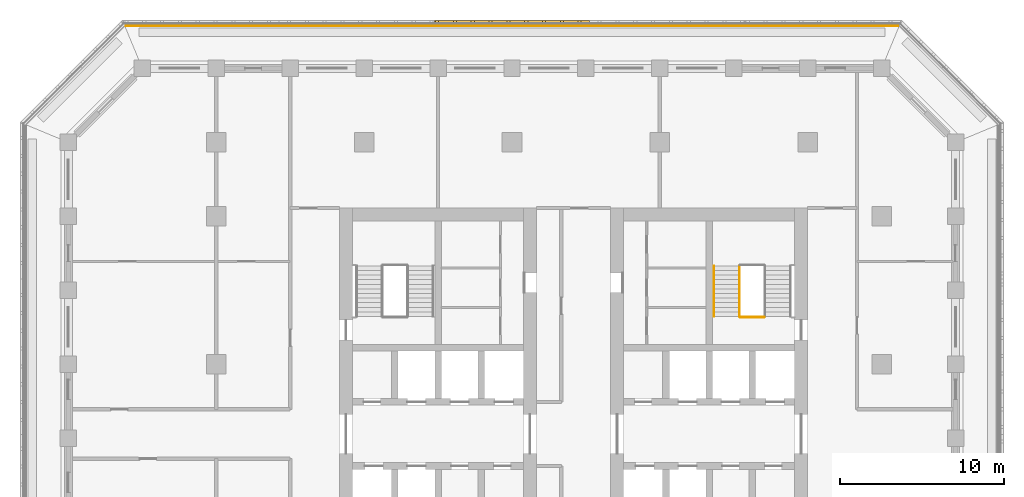
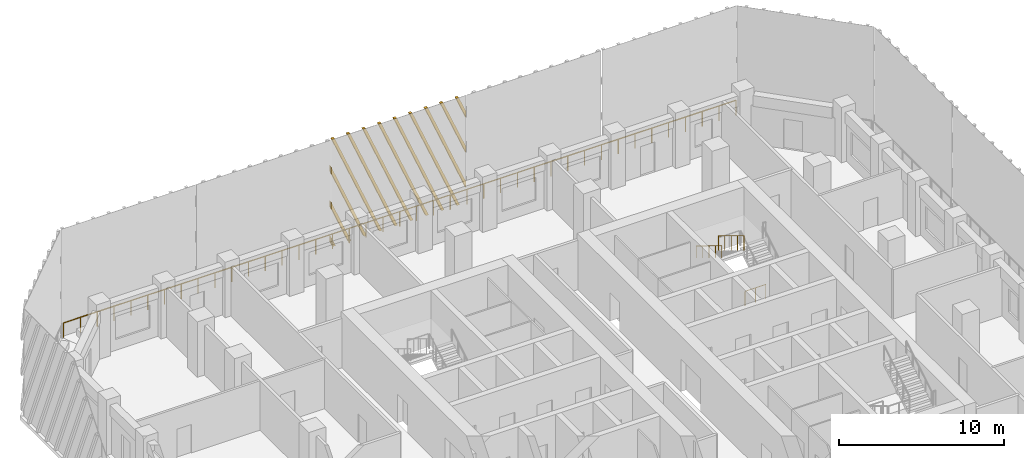
# One storey, part 14 of 16: 4 railings, 1 shading device.
"""IFC4 building model written with IfcOpenShell, lengths in metres."""

from ifc_helpers import new_model, si_unit, direction, frame, origin, origin_2d, place, context, subcontext, project, spatial, polyline, circle, outline, extrude, source, transform, mapped, material, type_object, element, save


model = new_model("IFC4")

# Units and contexts
model_context = context("Model", 3, precision=1e-05, world=origin(), true_north=direction((0.0, 1.0)))
body_context = subcontext(model_context, "Body", "Model", "MODEL_VIEW")
ifc_project = project(units=[si_unit("LENGTHUNIT", "METRE"), si_unit("AREAUNIT", "SQUARE_METRE"), si_unit("VOLUMEUNIT", "CUBIC_METRE"), si_unit("PLANEANGLEUNIT", "RADIAN"), si_unit("MASSUNIT", "GRAM", prefix="KILO")], contexts=[model_context])

# Site, building, storey
site_placement = place(None, origin())
site = spatial("IfcSite", under=ifc_project, at=site_placement, CompositionType="ELEMENT")
building_placement = place(site_placement, origin())
building = spatial("IfcBuilding", under=site, at=building_placement, Name="Corbel Stack Research Tower", CompositionType="ELEMENT")
storey_placement = place(building_placement, frame((0.0, 0.0, 165.0)))
storey = spatial("IfcBuildingStorey", under=building, at=storey_placement, Name="L37", CompositionType="ELEMENT", Elevation=165.0)

# Railings
ifc_material_1 = material(Name="Steel S355", Category="steel")
railing_type_1 = type_object("IfcRailingType", Name="Stair guard 1100", PredefinedType="GUARDRAIL", material=ifc_material_1)
railing_1_placement = place(storey_placement, frame((13.85009765625, 14.97998046875, 2.220947265625)))
element("IfcRailing", 1, at=railing_1_placement, inside=storey, type_object=railing_type_1, Name="L37 ST-E2 stair guard 4", PredefinedType="GUARDRAIL", context=body_context, shape_type="SweptSolid", body=[
    extrude(circle(Radius=0.02392578125, at=origin_2d()), frame((0.0, 0.0, 1.076171875), z_axis=(0.0, -0.853666305674, 0.52082035152), x_axis=(1.0, 0.0, 0.0)), (0.0, 0.0, 1.0), 3.608154296875),
    extrude(circle(Radius=0.02099609375, at=origin_2d()), origin(), (0.0, 0.0, 1.0), 1.052001953125),
    extrude(circle(Radius=0.02099609375, at=origin_2d()), frame((0.0, -0.77001953125, 0.4697265625)), (0.0, 0.0, 1.0), 1.052001953125),
    extrude(circle(Radius=0.02099609375, at=origin_2d()), frame((0.0, -1.5400390625, 0.939453125)), (0.0, 0.0, 1.0), 1.052001953125),
    extrude(circle(Radius=0.02099609375, at=origin_2d()), frame((0.0, -2.31005859375, 1.409423828125)), (0.0, 0.0, 1.0), 1.052001953125),
    extrude(circle(Radius=0.02099609375, at=origin_2d()), frame((0.0, -3.080078125, 1.879150390625)), (0.0, 0.0, 1.0), 1.052001953125),
])
railing_2_placement = place(storey_placement, frame((15.35009765625, 11.85009765625, 0.0)))
element("IfcRailing", 2, at=railing_2_placement, inside=storey, type_object=railing_type_1, Name="L37 ST-E2 stair guard 5", PredefinedType="GUARDRAIL", context=body_context, shape_type="SweptSolid", body=[
    extrude(circle(Radius=0.02392578125, at=origin_2d()), frame((0.0, 0.0, 1.076171875), z_axis=(-1.0, 0.0, 0.0), x_axis=(0.0, -1.0, 0.0)), (0.0, 0.0, 1.0), 1.4501953125),
    extrude(circle(Radius=0.02099609375, at=origin_2d()), origin(), (0.0, 0.0, 1.0), 1.052001953125),
    extrude(circle(Radius=0.02099609375, at=origin_2d()), frame((-0.72509765625, 0.0, 0.0)), (0.0, 0.0, 1.0), 1.052001953125),
    extrude(circle(Radius=0.02099609375, at=origin_2d()), frame((-1.4501953125, 0.0, 0.0)), (0.0, 0.0, 1.0), 1.052001953125),
])
ifc_material_2 = material(Name="Steel S355", Category="steel")
railing_type_2 = type_object("IfcRailingType", Name="Stair handrail 900", PredefinedType="HANDRAIL", material=ifc_material_2)
railing_3_placement = place(storey_placement, frame((12.300048828125, 14.97998046875, 2.220947265625)))
element("IfcRailing", 3, at=railing_3_placement, inside=storey, type_object=railing_type_2, Name="L37 ST-E2 stair handrail 2", PredefinedType="HANDRAIL", context=body_context, shape_type="SweptSolid", body=[
    extrude(circle(Radius=0.02392578125, at=origin_2d()), frame((0.0, 0.0, 0.8759765625), z_axis=(0.0, -0.853666305674, 0.52082035152), x_axis=(1.0, 0.0, 0.0)), (0.0, 0.0, 1.0), 3.608154296875),
    extrude(circle(Radius=0.02099609375, at=origin_2d()), origin(), (0.0, 0.0, 1.0), 0.851806640625),
    extrude(circle(Radius=0.02099609375, at=origin_2d()), frame((0.0, -0.77001953125, 0.4697265625)), (0.0, 0.0, 1.0), 0.851806640625),
    extrude(circle(Radius=0.02099609375, at=origin_2d()), frame((0.0, -1.5400390625, 0.939453125)), (0.0, 0.0, 1.0), 0.851806640625),
    extrude(circle(Radius=0.02099609375, at=origin_2d()), frame((0.0, -2.31005859375, 1.409423828125)), (0.0, 0.0, 1.0), 0.851806640625),
    extrude(circle(Radius=0.02099609375, at=origin_2d()), frame((0.0, -3.080078125, 1.879150390625)), (0.0, 0.0, 1.0), 0.851806640625),
])
ifc_material_3 = material(Name="Powder-coated steel guard", Category="steel")
railing_type_3 = type_object("IfcRailingType", Name="Steel and glass guard 1100", PredefinedType="GUARDRAIL", material=ifc_material_3)
railing_4_placement = place(storey_placement, frame((23.50537109375, 29.60009765625, 0.0)))
element("IfcRailing", 4, at=railing_4_placement, inside=storey, type_object=railing_type_3, Name="Loggia guard L37 N", PredefinedType="GUARDRAIL", context=body_context, shape_type="SweptSolid", body=[
    extrude(circle(Radius=0.02392578125, at=origin_2d()), frame((0.0, 0.0, 1.076171875), z_axis=(-1.0, 0.0, 0.0), x_axis=(0.0, -1.0, 0.0)), (0.0, 0.0, 1.0), 47.0107421875),
    extrude(circle(Radius=0.02099609375, at=origin_2d()), origin(), (0.0, 0.0, 1.0), 1.052001953125),
    extrude(circle(Radius=0.02099609375, at=origin_2d()), frame((-1.17529296875, 0.0, 0.0)), (0.0, 0.0, 1.0), 1.052001953125),
    extrude(circle(Radius=0.02099609375, at=origin_2d()), frame((-2.3505859375, 0.0, 0.0)), (0.0, 0.0, 1.0), 1.052001953125),
    extrude(circle(Radius=0.02099609375, at=origin_2d()), frame((-3.52587890625, 0.0, 0.0)), (0.0, 0.0, 1.0), 1.052001953125),
    extrude(circle(Radius=0.02099609375, at=origin_2d()), frame((-4.701171875, 0.0, 0.0)), (0.0, 0.0, 1.0), 1.052001953125),
    extrude(circle(Radius=0.02099609375, at=origin_2d()), frame((-5.87646484375, 0.0, 0.0)), (0.0, 0.0, 1.0), 1.052001953125),
    extrude(circle(Radius=0.02099609375, at=origin_2d()), frame((-7.051513671875, 0.0, 0.0)), (0.0, 0.0, 1.0), 1.052001953125),
    extrude(circle(Radius=0.02099609375, at=origin_2d()), frame((-8.226806640625, 0.0, 0.0)), (0.0, 0.0, 1.0), 1.052001953125),
    extrude(circle(Radius=0.02099609375, at=origin_2d()), frame((-9.402099609375, 0.0, 0.0)), (0.0, 0.0, 1.0), 1.052001953125),
    extrude(circle(Radius=0.02099609375, at=origin_2d()), frame((-10.577392578125, 0.0, 0.0)), (0.0, 0.0, 1.0), 1.052001953125),
    extrude(circle(Radius=0.02099609375, at=origin_2d()), frame((-11.752685546875, 0.0, 0.0)), (0.0, 0.0, 1.0), 1.052001953125),
    extrude(circle(Radius=0.02099609375, at=origin_2d()), frame((-12.927978515625, 0.0, 0.0)), (0.0, 0.0, 1.0), 1.052001953125),
    extrude(circle(Radius=0.02099609375, at=origin_2d()), frame((-14.103271484375, 0.0, 0.0)), (0.0, 0.0, 1.0), 1.052001953125),
    extrude(circle(Radius=0.02099609375, at=origin_2d()), frame((-15.278564453125, 0.0, 0.0)), (0.0, 0.0, 1.0), 1.052001953125),
    extrude(circle(Radius=0.02099609375, at=origin_2d()), frame((-16.453857421875, 0.0, 0.0)), (0.0, 0.0, 1.0), 1.052001953125),
    extrude(circle(Radius=0.02099609375, at=origin_2d()), frame((-17.62890625, 0.0, 0.0)), (0.0, 0.0, 1.0), 1.052001953125),
    extrude(circle(Radius=0.02099609375, at=origin_2d()), frame((-18.80419921875, 0.0, 0.0)), (0.0, 0.0, 1.0), 1.052001953125),
    extrude(circle(Radius=0.02099609375, at=origin_2d()), frame((-19.9794921875, 0.0, 0.0)), (0.0, 0.0, 1.0), 1.052001953125),
    extrude(circle(Radius=0.02099609375, at=origin_2d()), frame((-21.15478515625, 0.0, 0.0)), (0.0, 0.0, 1.0), 1.052001953125),
    extrude(circle(Radius=0.02099609375, at=origin_2d()), frame((-22.330078125, 0.0, 0.0)), (0.0, 0.0, 1.0), 1.052001953125),
    extrude(circle(Radius=0.02099609375, at=origin_2d()), frame((-23.50537109375, 0.0, 0.0)), (0.0, 0.0, 1.0), 1.052001953125),
    extrude(circle(Radius=0.02099609375, at=origin_2d()), frame((-24.6806640625, 0.0, 0.0)), (0.0, 0.0, 1.0), 1.052001953125),
    extrude(circle(Radius=0.02099609375, at=origin_2d()), frame((-25.85595703125, 0.0, 0.0)), (0.0, 0.0, 1.0), 1.052001953125),
    extrude(circle(Radius=0.02099609375, at=origin_2d()), frame((-27.03125, 0.0, 0.0)), (0.0, 0.0, 1.0), 1.052001953125),
    extrude(circle(Radius=0.02099609375, at=origin_2d()), frame((-28.20654296875, 0.0, 0.0)), (0.0, 0.0, 1.0), 1.052001953125),
    extrude(circle(Radius=0.02099609375, at=origin_2d()), frame((-29.3818359375, 0.0, 0.0)), (0.0, 0.0, 1.0), 1.052001953125),
    extrude(circle(Radius=0.02099609375, at=origin_2d()), frame((-30.556884765625, 0.0, 0.0)), (0.0, 0.0, 1.0), 1.052001953125),
    extrude(circle(Radius=0.02099609375, at=origin_2d()), frame((-31.732177734375, 0.0, 0.0)), (0.0, 0.0, 1.0), 1.052001953125),
    extrude(circle(Radius=0.02099609375, at=origin_2d()), frame((-32.907470703125, 0.0, 0.0)), (0.0, 0.0, 1.0), 1.052001953125),
    extrude(circle(Radius=0.02099609375, at=origin_2d()), frame((-34.082763671875, 0.0, 0.0)), (0.0, 0.0, 1.0), 1.052001953125),
    extrude(circle(Radius=0.02099609375, at=origin_2d()), frame((-35.258056640625, 0.0, 0.0)), (0.0, 0.0, 1.0), 1.052001953125),
    extrude(circle(Radius=0.02099609375, at=origin_2d()), frame((-36.433349609375, 0.0, 0.0)), (0.0, 0.0, 1.0), 1.052001953125),
    extrude(circle(Radius=0.02099609375, at=origin_2d()), frame((-37.608642578125, 0.0, 0.0)), (0.0, 0.0, 1.0), 1.052001953125),
    extrude(circle(Radius=0.02099609375, at=origin_2d()), frame((-38.783935546875, 0.0, 0.0)), (0.0, 0.0, 1.0), 1.052001953125),
    extrude(circle(Radius=0.02099609375, at=origin_2d()), frame((-39.959228515625, 0.0, 0.0)), (0.0, 0.0, 1.0), 1.052001953125),
    extrude(circle(Radius=0.02099609375, at=origin_2d()), frame((-41.13427734375, 0.0, 0.0)), (0.0, 0.0, 1.0), 1.052001953125),
    extrude(circle(Radius=0.02099609375, at=origin_2d()), frame((-42.3095703125, 0.0, 0.0)), (0.0, 0.0, 1.0), 1.052001953125),
    extrude(circle(Radius=0.02099609375, at=origin_2d()), frame((-43.48486328125, 0.0, 0.0)), (0.0, 0.0, 1.0), 1.052001953125),
    extrude(circle(Radius=0.02099609375, at=origin_2d()), frame((-44.66015625, 0.0, 0.0)), (0.0, 0.0, 1.0), 1.052001953125),
    extrude(circle(Radius=0.02099609375, at=origin_2d()), frame((-45.83544921875, 0.0, 0.0)), (0.0, 0.0, 1.0), 1.052001953125),
    extrude(circle(Radius=0.02099609375, at=origin_2d()), frame((-47.0107421875, 0.0, 0.0)), (0.0, 0.0, 1.0), 1.052001953125),
])

# Shading device
ifc_material_4 = material(Name="Precast terracotta", Category="masonry")
shading_device_type = type_object("IfcShadingDeviceType", Name="Terracotta screen panel", PredefinedType="USERDEFINED", material=ifc_material_4)
shared_shape = source(origin(), body_context, "Body", "SweptSolid", [
    extrude(outline(polyline([(0.70361328125, 7.949951171875), (0.513427734375, 7.949951171875), (0.0, 6.720458984375), (0.0, 6.265380859375), (0.70361328125, 7.949951171875)])), frame((0.0, 0.0, 0.0), z_axis=(0.0, -1.0, 0.0), x_axis=(1.0, 0.0, 0.0)), (0.0, 0.0, 1.0), 0.179931640625),
    extrude(outline(polyline([(1.7880859375, 7.949951171875), (1.59814453125, 7.949951171875), (0.0, 4.123291015625), (0.0, 3.668212890625), (1.7880859375, 7.949951171875)])), frame((0.0, 0.0, 0.0), z_axis=(0.0, -1.0, 0.0), x_axis=(1.0, 0.0, 0.0)), (0.0, 0.0, 1.0), 0.179931640625),
    extrude(outline(polyline([(2.872802734375, 7.949951171875), (2.682861328125, 7.949951171875), (0.0, 1.526123046875), (0.0, 1.071044921875), (2.872802734375, 7.949951171875)])), frame((0.0, 0.0, 0.0), z_axis=(0.0, -1.0, 0.0), x_axis=(1.0, 0.0, 0.0)), (0.0, 0.0, 1.0), 0.179931640625),
    extrude(outline(polyline([(0.63720703125, 0.0), (3.95751953125, 7.949951171875), (3.767578125, 7.949951171875), (0.447265625, 0.0), (0.63720703125, 0.0)])), frame((0.0, 0.0, 0.0), z_axis=(0.0, -1.0, 0.0), x_axis=(1.0, 0.0, 0.0)), (0.0, 0.0, 1.0), 0.179931640625),
    extrude(outline(polyline([(1.721923828125, 0.0), (5.042236328125, 7.949951171875), (4.852294921875, 7.949951171875), (1.531982421875, 0.0), (1.721923828125, 0.0)])), frame((0.0, 0.0, 0.0), z_axis=(0.0, -1.0, 0.0), x_axis=(1.0, 0.0, 0.0)), (0.0, 0.0, 1.0), 0.179931640625),
    extrude(outline(polyline([(2.806640625, 0.0), (6.126708984375, 7.949951171875), (5.936767578125, 7.949951171875), (2.61669921875, 0.0), (2.806640625, 0.0)])), frame((0.0, 0.0, 0.0), z_axis=(0.0, -1.0, 0.0), x_axis=(1.0, 0.0, 0.0)), (0.0, 0.0, 1.0), 0.179931640625),
    extrude(outline(polyline([(3.891357421875, 0.0), (7.21142578125, 7.949951171875), (7.021484375, 7.949951171875), (3.701416015625, 0.0), (3.891357421875, 0.0)])), frame((0.0, 0.0, 0.0), z_axis=(0.0, -1.0, 0.0), x_axis=(1.0, 0.0, 0.0)), (0.0, 0.0, 1.0), 0.179931640625),
    extrude(outline(polyline([(4.97607421875, 0.0), (8.296142578125, 7.949951171875), (8.106201171875, 7.949951171875), (4.785888671875, 0.0), (4.97607421875, 0.0)])), frame((0.0, 0.0, 0.0), z_axis=(0.0, -1.0, 0.0), x_axis=(1.0, 0.0, 0.0)), (0.0, 0.0, 1.0), 0.179931640625),
    extrude(outline(polyline([(6.060791015625, 0.0), (9.380859375, 7.949951171875), (9.19091796875, 7.949951171875), (5.87060546875, 0.0), (6.060791015625, 0.0)])), frame((0.0, 0.0, 0.0), z_axis=(0.0, -1.0, 0.0), x_axis=(1.0, 0.0, 0.0)), (0.0, 0.0, 1.0), 0.179931640625),
    extrude(outline(polyline([(7.145263671875, 0.0), (9.45556640625, 5.531982421875), (9.45556640625, 5.98681640625), (6.955322265625, 0.0), (7.145263671875, 0.0)])), frame((0.0, 0.0, 0.0), z_axis=(0.0, -1.0, 0.0), x_axis=(1.0, 0.0, 0.0)), (0.0, 0.0, 1.0), 0.179931640625),
    extrude(outline(polyline([(8.22998046875, 0.0), (9.45556640625, 2.934814453125), (9.45556640625, 3.3896484375), (8.0400390625, 0.0), (8.22998046875, 0.0)])), frame((0.0, 0.0, 0.0), z_axis=(0.0, -1.0, 0.0), x_axis=(1.0, 0.0, 0.0)), (0.0, 0.0, 1.0), 0.179931640625),
    extrude(outline(polyline([(9.314697265625, 0.0), (9.45556640625, 0.337646484375), (9.45556640625, 0.79248046875), (9.124755859375, 0.0), (9.314697265625, 0.0)])), frame((0.0, 0.0, 0.0), z_axis=(0.0, -1.0, 0.0), x_axis=(1.0, 0.0, 0.0)), (0.0, 0.0, 1.0), 0.179931640625),
])
shading_device_placement = place(storey_placement, frame((4.727783203125, 29.75, 0.0), z_axis=(0.0, 0.0, 1.0), x_axis=(-1.0, 0.0, 0.0)))
element("IfcShadingDevice", 5, at=shading_device_placement, inside=storey, type_object=shading_device_type, Name="Terracotta screen L37 N3", ObjectType="SCREEN", PredefinedType="USERDEFINED", context=body_context, shape_type="MappedRepresentation", body=[
    mapped(shared_shape, transform((0.0, 0.0, 0.0))),
])

save(model, "model.ifc")
